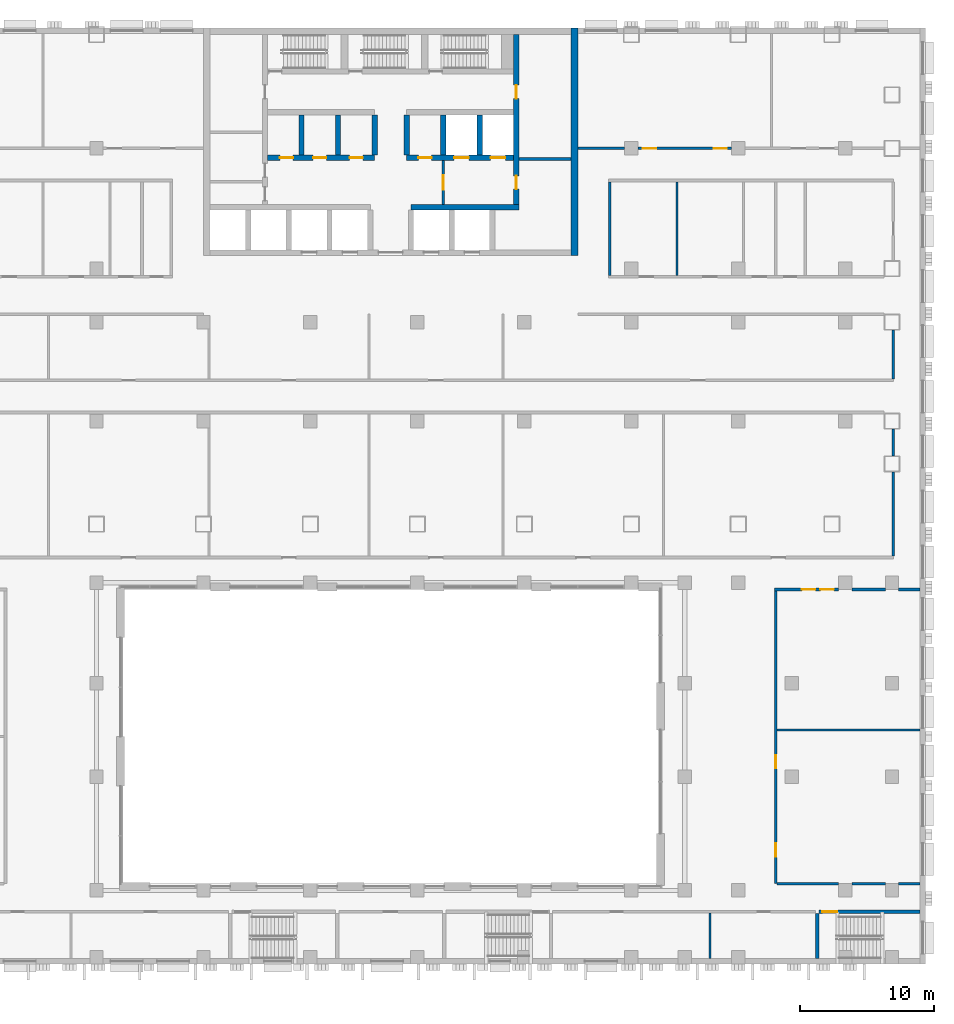
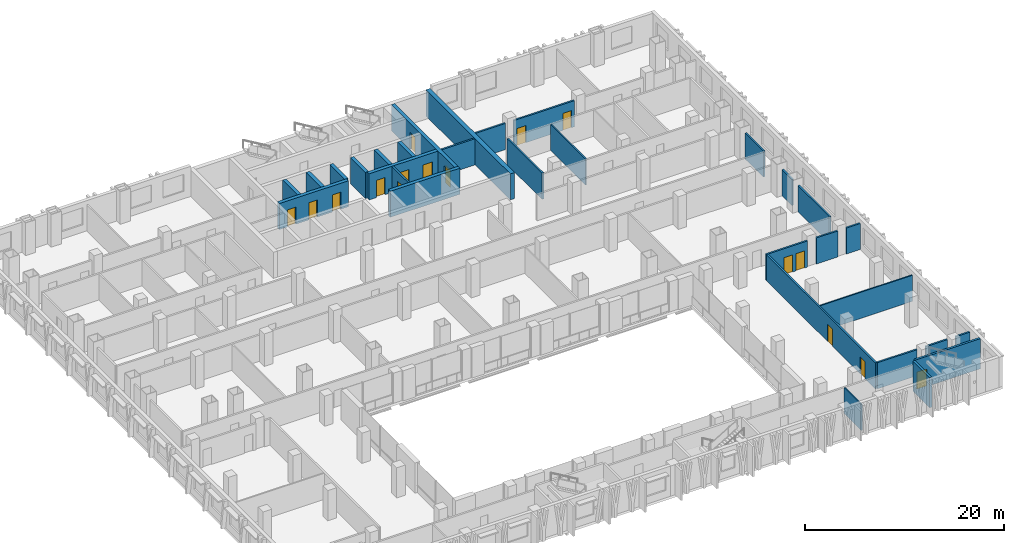
# One storey, part 13 of 24: 31 walls, 16 doors, 16 openings.
"""IFC4 building model written with IfcOpenShell, lengths in metres."""

from ifc_helpers import new_model, si_unit, direction, frame, frame_2d, origin, place, context, subcontext, project, spatial, rectangle, extrude, material, layer, layer_set, type_object, element, fill, save


model = new_model("IFC4")

# Units and contexts
model_context = context("Model", 3, precision=1e-05, world=origin(), true_north=direction((0.0, 1.0)))
body_context = subcontext(model_context, "Body", "Model", "MODEL_VIEW")
ifc_project = project(units=[si_unit("LENGTHUNIT", "METRE"), si_unit("AREAUNIT", "SQUARE_METRE"), si_unit("VOLUMEUNIT", "CUBIC_METRE"), si_unit("PLANEANGLEUNIT", "RADIAN"), si_unit("MASSUNIT", "GRAM", prefix="KILO")], contexts=[model_context])

# Site, building, storey
site_placement = place(None, origin())
site = spatial("IfcSite", under=ifc_project, at=site_placement, CompositionType="ELEMENT")
building_placement = place(site_placement, origin())
building = spatial("IfcBuilding", under=site, at=building_placement, Name="Vidyagriha Tower", CompositionType="ELEMENT")
storey_placement = place(building_placement, frame((0.0, 0.0, 22.0)))
storey = spatial("IfcBuildingStorey", under=building, at=storey_placement, Name="L05", CompositionType="ELEMENT", Elevation=22.0)

# Wall, opening, door
ifc_material_1 = material(Name="Concrete C32/40", Category="concrete")
ifc_layer_1 = layer(ifc_material_1, 0.25)
ifc_layer_set_1 = layer_set([ifc_layer_1], Name="Concrete C32/40")
wall_type_1 = type_object("IfcWallType", Name="Concrete Stair Enclosure Wall 250", PredefinedType="SOLIDWALL", material=ifc_layer_set_1)
wall_1_placement = place(storey_placement, frame((32.02490234375, -46.10009765625, 0.0)))
wall_1 = element("IfcWall", 1, at=wall_1_placement, inside=storey, type_object=wall_type_1, Name="L05 Concrete Stair Enclosure Wall 250 006", PredefinedType="SOLIDWALL", context=body_context, shape_type="SweptSolid", body=[
    extrude(rectangle(XDim=7.5751953125, YDim=0.25, at=frame_2d((3.78759765625, 0.0))), origin(), (0.0, 0.0, 1.0), 3.699951171875),
])
opening_1_placement = place(wall_1_placement, frame((0.27001953125, 0.0, 0.0)))
opening_1 = element("IfcOpeningElement", 2, at=opening_1_placement, cuts=wall_1, Name="Opening D05-58", PredefinedType="OPENING", context=body_context, shape_type="SweptSolid", body=[
    extrude(rectangle(XDim=1.10009765625, YDim=2.10009765625, at=frame_2d((0.550048828125, 1.050048828125))), frame((0.0, 0.135009765625, 0.0), z_axis=(0.0, -1.0, 0.0), x_axis=(1.0, 0.0, 0.0)), (0.0, 0.0, 1.0), 0.27001953125),
])
ifc_material_2 = material(Name="Steel fire door set", Category="steel")
door_type_1 = type_object("IfcDoorType", Name="Podium Door 1100x2100 EI 90", OperationType="NOTDEFINED", PredefinedType="DOOR", material=ifc_material_2)
door_1_placement = place(opening_1_placement, origin())
door_1 = element("IfcDoor", 3, at=door_1_placement, inside=storey, type_object=door_type_1, Name="L05 door D05-58", OperationType="SINGLE_SWING_LEFT", OverallHeight=2.10009765625, OverallWidth=1.10009765625, PredefinedType="DOOR", context=body_context, shape_type="SweptSolid", body=[
    extrude(rectangle(XDim=1.10009765625, YDim=2.10009765625, at=frame_2d((0.550048828125, 1.050048828125))), frame((0.0, 0.02490234375, 0.0), z_axis=(0.0, -1.0, 0.0), x_axis=(1.0, 0.0, 0.0)), (0.0, 0.0, 1.0), 0.050048828125),
])
fill(opening_1, door_1)

# Wall
wall_2_placement = place(storey_placement, frame((31.89990234375, -49.60009765625, 0.0), z_axis=(0.0, 0.0, 1.0), x_axis=(0.0, 1.0, 0.0)))
element("IfcWall", 4, at=wall_2_placement, inside=storey, type_object=wall_type_1, Name="L05 Concrete Stair Enclosure Wall 250 074", PredefinedType="SOLIDWALL", context=body_context, shape_type="SweptSolid", body=[
    extrude(rectangle(XDim=3.375, YDim=0.25, at=frame_2d((1.6875, 0.0))), origin(), (0.0, 0.0, 1.0), 3.699951171875),
])

# Wall, openings, doors
ifc_material_3 = material(Name="Concrete C60/75", Category="concrete")
ifc_layer_2 = layer(ifc_material_3, 0.39990234375)
ifc_layer_set_2 = layer_set([ifc_layer_2], Name="Concrete C60/75")
wall_type_2 = type_object("IfcWallType", Name="Core shear wall 400 mm", PredefinedType="SHEAR", material=ifc_layer_set_2)
wall_3_placement = place(storey_placement, frame((9.39990234375, 6.800048828125, 0.0), z_axis=(0.0, 0.0, 1.0), x_axis=(0.0, 1.0, 0.0)))
wall_3 = element("IfcWall", 5, at=wall_3_placement, inside=storey, type_object=wall_type_2, Name="Core east spine wall", PredefinedType="SHEAR", context=body_context, shape_type="SweptSolid", body=[
    extrude(rectangle(XDim=12.699951171875, YDim=0.39990234375, at=frame_2d((6.35009765625, 0.0))), origin(), (0.0, 0.0, 1.0), 3.199951171875),
])
opening_2_placement = place(wall_3_placement, frame((1.14990234375, 0.0, 0.0)))
opening_2 = element("IfcOpeningElement", 6, at=opening_2_placement, cuts=wall_3, Name="Opening D05-13", PredefinedType="OPENING", context=body_context, shape_type="SweptSolid", body=[
    extrude(rectangle(XDim=1.0, YDim=2.10009765625, at=frame_2d((0.5, 1.050048828125))), frame((0.0, 0.2099609375, 0.0), z_axis=(0.0, -1.0, 0.0), x_axis=(1.0, 0.0, 0.0)), (0.0, 0.0, 1.0), 0.419921875),
])
opening_3_placement = place(wall_3_placement, frame((7.925048828125, 0.0, 0.0)))
opening_3 = element("IfcOpeningElement", 7, at=opening_3_placement, cuts=wall_3, Name="Opening D05-14", PredefinedType="OPENING", context=body_context, shape_type="SweptSolid", body=[
    extrude(rectangle(XDim=1.0, YDim=2.10009765625, at=frame_2d((0.5, 1.050048828125))), frame((0.0, 0.2099609375, 0.0), z_axis=(0.0, -1.0, 0.0), x_axis=(1.0, 0.0, 0.0)), (0.0, 0.0, 1.0), 0.419921875),
])
ifc_material_4 = material(Name="Hollow metal door leaf")
door_type_2 = type_object("IfcDoorType", Name="Core room door 1000 x 2100 mm EI 60", OperationType="NOTDEFINED", PredefinedType="DOOR", material=ifc_material_4)
door_2_placement = place(opening_2_placement, origin())
door_2 = element("IfcDoor", 8, at=door_2_placement, inside=storey, type_object=door_type_2, Name="Door Electrical Room 05.E1", OperationType="SINGLE_SWING_RIGHT", OverallHeight=2.10009765625, OverallWidth=1.0, PredefinedType="DOOR", context=body_context, shape_type="SweptSolid", body=[
    extrude(rectangle(XDim=1.0, YDim=2.10009765625, at=frame_2d((0.5, 1.050048828125))), frame((0.0, 0.02490234375, 0.0), z_axis=(0.0, -1.0, 0.0), x_axis=(1.0, 0.0, 0.0)), (0.0, 0.0, 1.0), 0.050048828125),
])
fill(opening_2, door_2)
door_3_placement = place(opening_3_placement, origin())
door_3 = element("IfcDoor", 9, at=door_3_placement, inside=storey, type_object=door_type_2, Name="Door Refuse Room 05.E2", OperationType="SINGLE_SWING_LEFT", OverallHeight=2.10009765625, OverallWidth=1.0, PredefinedType="DOOR", context=body_context, shape_type="SweptSolid", body=[
    extrude(rectangle(XDim=1.0, YDim=2.10009765625, at=frame_2d((0.5, 1.050048828125))), frame((0.0, 0.02490234375, 0.0), z_axis=(0.0, -1.0, 0.0), x_axis=(1.0, 0.0, 0.0)), (0.0, 0.0, 1.0), 0.050048828125),
])
fill(opening_3, door_3)

# Wall
wall_4_placement = place(storey_placement, frame((1.522216796875, 6.60009765625, 0.0)))
element("IfcWall", 10, at=wall_4_placement, inside=storey, type_object=wall_type_2, Name="Core lobby south wall east", PredefinedType="SHEAR", context=body_context, shape_type="SweptSolid", body=[
    extrude(rectangle(XDim=8.077880859375, YDim=0.39990234375, at=frame_2d((4.0390625, 0.0))), origin(), (0.0, 0.0, 1.0), 3.199951171875),
])

# Wall, openings, doors
wall_5_placement = place(storey_placement, frame((-9.199951171875, 10.300048828125, 0.0)))
wall_5 = element("IfcWall", 11, at=wall_5_placement, inside=storey, type_object=wall_type_2, Name="Core row N front wall", PredefinedType="SHEAR", context=body_context, shape_type="SweptSolid", body=[
    extrude(rectangle(XDim=8.0, YDim=0.39990234375, at=frame_2d((4.0, 0.0))), origin(), (0.0, 0.0, 1.0), 3.199951171875),
])
opening_4_placement = place(wall_5_placement, frame((0.916748046875, 0.0, 0.0)))
opening_4 = element("IfcOpeningElement", 12, at=opening_4_placement, cuts=wall_5, Name="Opening D05-02", PredefinedType="OPENING", context=body_context, shape_type="SweptSolid", body=[
    extrude(rectangle(XDim=1.0, YDim=2.10009765625, at=frame_2d((0.5, 1.050048828125))), frame((0.0, 0.2099609375, 0.0), z_axis=(0.0, -1.0, 0.0), x_axis=(1.0, 0.0, 0.0)), (0.0, 0.0, 1.0), 0.419921875),
])
opening_5_placement = place(wall_5_placement, frame((3.39990234375, 0.0, 0.0)))
opening_5 = element("IfcOpeningElement", 13, at=opening_5_placement, cuts=wall_5, Name="Opening D05-03", PredefinedType="OPENING", context=body_context, shape_type="SweptSolid", body=[
    extrude(rectangle(XDim=1.0, YDim=2.10009765625, at=frame_2d((0.5, 1.050048828125))), frame((0.0, 0.2099609375, 0.0), z_axis=(0.0, -1.0, 0.0), x_axis=(1.0, 0.0, 0.0)), (0.0, 0.0, 1.0), 0.419921875),
])
opening_6_placement = place(wall_5_placement, frame((6.13330078125, 0.0, 0.0)))
opening_6 = element("IfcOpeningElement", 14, at=opening_6_placement, cuts=wall_5, Name="Opening D05-04", PredefinedType="OPENING", context=body_context, shape_type="SweptSolid", body=[
    extrude(rectangle(XDim=1.0, YDim=2.10009765625, at=frame_2d((0.5, 1.050048828125))), frame((0.0, 0.2099609375, 0.0), z_axis=(0.0, -1.0, 0.0), x_axis=(1.0, 0.0, 0.0)), (0.0, 0.0, 1.0), 0.419921875),
])
door_4_placement = place(opening_4_placement, frame((1.0, 0.0, 0.0), z_axis=(0.0, 0.0, 1.0), x_axis=(-1.0, 0.0, 0.0)))
door_4 = element("IfcDoor", 15, at=door_4_placement, inside=storey, type_object=door_type_2, Name="Door Pressurisation Plant Room 05.14", OperationType="SINGLE_SWING_RIGHT", OverallHeight=2.10009765625, OverallWidth=1.0, PredefinedType="DOOR", context=body_context, shape_type="SweptSolid", body=[
    extrude(rectangle(XDim=1.0, YDim=2.10009765625, at=frame_2d((0.5, 1.050048828125))), frame((0.0, 0.02490234375, 0.0), z_axis=(0.0, -1.0, 0.0), x_axis=(1.0, 0.0, 0.0)), (0.0, 0.0, 1.0), 0.050048828125),
])
fill(opening_4, door_4)
door_5_placement = place(opening_5_placement, frame((1.0, 0.0, 0.0), z_axis=(0.0, 0.0, 1.0), x_axis=(-1.0, 0.0, 0.0)))
door_5 = element("IfcDoor", 16, at=door_5_placement, inside=storey, type_object=door_type_2, Name="Door Switchgear Room 05.15", OperationType="SINGLE_SWING_RIGHT", OverallHeight=2.10009765625, OverallWidth=1.0, PredefinedType="DOOR", context=body_context, shape_type="SweptSolid", body=[
    extrude(rectangle(XDim=1.0, YDim=2.10009765625, at=frame_2d((0.5, 1.050048828125))), frame((0.0, 0.02490234375, 0.0), z_axis=(0.0, -1.0, 0.0), x_axis=(1.0, 0.0, 0.0)), (0.0, 0.0, 1.0), 0.050048828125),
])
fill(opening_5, door_5)
door_6_placement = place(opening_6_placement, frame((1.0, 0.0, 0.0), z_axis=(0.0, 0.0, 1.0), x_axis=(-1.0, 0.0, 0.0)))
door_6 = element("IfcDoor", 17, at=door_6_placement, inside=storey, type_object=door_type_2, Name="Door Storage Room 05.16", OperationType="SINGLE_SWING_LEFT", OverallHeight=2.10009765625, OverallWidth=1.0, PredefinedType="DOOR", context=body_context, shape_type="SweptSolid", body=[
    extrude(rectangle(XDim=1.0, YDim=2.10009765625, at=frame_2d((0.5, 1.050048828125))), frame((0.0, 0.02490234375, 0.0), z_axis=(0.0, -1.0, 0.0), x_axis=(1.0, 0.0, 0.0)), (0.0, 0.0, 1.0), 0.050048828125),
])
fill(opening_6, door_6)

wall_6_placement = place(storey_placement, frame((1.199951171875, 10.300048828125, 0.0)))
wall_6 = element("IfcWall", 18, at=wall_6_placement, inside=storey, type_object=wall_type_2, Name="Core row N front wall", PredefinedType="SHEAR", context=body_context, shape_type="SweptSolid", body=[
    extrude(rectangle(XDim=8.0, YDim=0.39990234375, at=frame_2d((4.0, 0.0))), origin(), (0.0, 0.0, 1.0), 3.199951171875),
])
opening_7_placement = place(wall_6_placement, frame((3.550048828125, 0.0, 0.0)))
opening_7 = element("IfcOpeningElement", 19, at=opening_7_placement, cuts=wall_6, Name="Opening LD05-05", PredefinedType="OPENING", context=body_context, shape_type="SweptSolid", body=[
    extrude(rectangle(XDim=1.10009765625, YDim=2.10009765625, at=frame_2d((0.550048828125, 1.050048828125))), frame((0.0, 0.2099609375, 0.0), z_axis=(0.0, -1.0, 0.0), x_axis=(1.0, 0.0, 0.0)), (0.0, 0.0, 1.0), 0.419921875),
])
opening_8_placement = place(wall_6_placement, frame((6.283203125, 0.0, 0.0)))
opening_8 = element("IfcOpeningElement", 20, at=opening_8_placement, cuts=wall_6, Name="Opening LD05-06", PredefinedType="OPENING", context=body_context, shape_type="SweptSolid", body=[
    extrude(rectangle(XDim=1.10009765625, YDim=2.10009765625, at=frame_2d((0.550048828125, 1.050048828125))), frame((0.0, 0.2099609375, 0.0), z_axis=(0.0, -1.0, 0.0), x_axis=(1.0, 0.0, 0.0)), (0.0, 0.0, 1.0), 0.419921875),
])
opening_9_placement = place(wall_6_placement, frame((0.86669921875, 0.0, 0.0)))
opening_9 = element("IfcOpeningElement", 21, at=opening_9_placement, cuts=wall_6, Name="Opening D05-05", PredefinedType="OPENING", context=body_context, shape_type="SweptSolid", body=[
    extrude(rectangle(XDim=1.0, YDim=2.10009765625, at=frame_2d((0.5, 1.050048828125))), frame((0.0, 0.2099609375, 0.0), z_axis=(0.0, -1.0, 0.0), x_axis=(1.0, 0.0, 0.0)), (0.0, 0.0, 1.0), 0.419921875),
])
door_7_placement = place(opening_9_placement, frame((1.0, 0.0, 0.0), z_axis=(0.0, 0.0, 1.0), x_axis=(-1.0, 0.0, 0.0)))
door_7 = element("IfcDoor", 22, at=door_7_placement, inside=storey, type_object=door_type_2, Name="Door Communications Room 05.17", OperationType="SINGLE_SWING_LEFT", OverallHeight=2.10009765625, OverallWidth=1.0, PredefinedType="DOOR", context=body_context, shape_type="SweptSolid", body=[
    extrude(rectangle(XDim=1.0, YDim=2.10009765625, at=frame_2d((0.5, 1.050048828125))), frame((0.0, 0.02490234375, 0.0), z_axis=(0.0, -1.0, 0.0), x_axis=(1.0, 0.0, 0.0)), (0.0, 0.0, 1.0), 0.050048828125),
])
fill(opening_9, door_7)
ifc_material_5 = material(Name="Stainless steel sliding door panel", Category="steel")
door_type_3 = type_object("IfcDoorType", Name="Lift landing door 1100 x 2100 mm EI 90", OperationType="NOTDEFINED", PredefinedType="DOOR", material=ifc_material_5)
door_8_placement = place(opening_7_placement, origin())
door_8 = element("IfcDoor", 23, at=door_8_placement, inside=storey, type_object=door_type_3, Name="Landing door FF1 L05", OperationType="SLIDING_TO_LEFT", OverallHeight=2.10009765625, OverallWidth=1.10009765625, PredefinedType="DOOR", context=body_context, shape_type="SweptSolid", body=[
    extrude(rectangle(XDim=1.10009765625, YDim=2.10009765625, at=frame_2d((0.550048828125, 1.050048828125))), frame((0.0, 0.02490234375, 0.0), z_axis=(0.0, -1.0, 0.0), x_axis=(1.0, 0.0, 0.0)), (0.0, 0.0, 1.0), 0.050048828125),
])
fill(opening_7, door_8)
door_9_placement = place(opening_8_placement, origin())
door_9 = element("IfcDoor", 24, at=door_9_placement, inside=storey, type_object=door_type_3, Name="Landing door FF2 L05", OperationType="SLIDING_TO_LEFT", OverallHeight=2.10009765625, OverallWidth=1.10009765625, PredefinedType="DOOR", context=body_context, shape_type="SweptSolid", body=[
    extrude(rectangle(XDim=1.10009765625, YDim=2.10009765625, at=frame_2d((0.550048828125, 1.050048828125))), frame((0.0, 0.02490234375, 0.0), z_axis=(0.0, -1.0, 0.0), x_axis=(1.0, 0.0, 0.0)), (0.0, 0.0, 1.0), 0.050048828125),
])
fill(opening_8, door_9)

# Walls
for number, where, z_axis, x_axis, name in (
    (25, (-6.666748046875, 10.5, 0.0), (0.0, 0.0, 1.0), (0.0, 1.0, 0.0), "Core bay wall N1"),
    (26, (-3.933349609375, 10.5, 0.0), (0.0, 0.0, 1.0), (0.0, 1.0, 0.0), "Core bay wall N2"),
    (27, (-1.199951171875, 10.5, 0.0), (0.0, 0.0, 1.0), (0.0, 1.0, 0.0), "Core bay wall N3"),
    (28, (1.199951171875, 10.5, 0.0), (0.0, 0.0, 1.0), (0.0, 1.0, 0.0), "Core bay wall N4"),
    (29, (3.933349609375, 10.5, 0.0), (0.0, 0.0, 1.0), (0.0, 1.0, 0.0), "Core bay wall N5"),
    (30, (6.666748046875, 10.5, 0.0), (0.0, 0.0, 1.0), (0.0, 1.0, 0.0), "Core bay wall N6"),
):
    element("IfcWall", number, at=place(storey_placement, frame(where, z_axis=z_axis, x_axis=x_axis)), inside=storey, type_object=wall_type_2, Name=name, PredefinedType="SHEAR", context=body_context, shape_type="SweptSolid", body=[
        extrude(rectangle(XDim=3.0, YDim=0.39990234375, at=frame_2d((1.5, 0.0))), origin(), (0.0, 0.0, 1.0), 3.199951171875),
    ])
ifc_material_6 = material(Name="Concrete C60/75", Category="concrete")
ifc_layer_3 = layer(ifc_material_6, 0.5)
ifc_layer_set_3 = layer_set([ifc_layer_3], Name="Concrete C60/75")
wall_type_3 = type_object("IfcWallType", Name="Core shear wall 500 mm", PredefinedType="SHEAR", material=ifc_layer_set_3)
wall_7_placement = place(storey_placement, frame((13.75, 3.0, 0.0), z_axis=(0.0, 0.0, 1.0), x_axis=(0.0, 1.0, 0.0)))
element("IfcWall", 31, at=wall_7_placement, inside=storey, type_object=wall_type_3, Name="Core east wall", PredefinedType="SHEAR", context=body_context, shape_type="SweptSolid", body=[
    extrude(rectangle(XDim=17.0, YDim=0.5, at=frame_2d((8.5, 0.0))), origin(), (0.0, 0.0, 1.0), 3.199951171875),
])
ifc_material_7 = material(Name="Fire rated gypsum board on light gauge framing")
ifc_layer_4 = layer(ifc_material_7, 0.199951171875)
ifc_layer_set_4 = layer_set([ifc_layer_4], Name="Fire rated gypsum board on light gauge framing")
wall_type_4 = type_object("IfcWallType", Name="Fire Rated Corridor Wall 200", PredefinedType="PARTITIONING", material=ifc_layer_set_4)
wall_8_placement = place(storey_placement, frame((28.900146484375, -44.0, 0.0)))
element("IfcWall", 32, at=wall_8_placement, inside=storey, type_object=wall_type_4, Name="L05 Fire Rated Corridor Wall 200 010", PredefinedType="PARTITIONING", context=body_context, shape_type="SweptSolid", body=[
    extrude(rectangle(XDim=4.599853515625, YDim=0.199951171875, at=frame_2d((2.2998046875, 0.0))), origin(), (0.0, 0.0, 1.0), 3.199951171875),
])
wall_9_placement = place(storey_placement, frame((34.5, -44.0, 0.0)))
element("IfcWall", 33, at=wall_9_placement, inside=storey, type_object=wall_type_4, Name="L05 Fire Rated Corridor Wall 200 011", PredefinedType="PARTITIONING", context=body_context, shape_type="SweptSolid", body=[
    extrude(rectangle(XDim=2.5, YDim=0.199951171875, at=frame_2d((1.25, 0.0))), origin(), (0.0, 0.0, 1.0), 3.199951171875),
])
wall_10_placement = place(storey_placement, frame((38.0, -44.0, 0.0)))
element("IfcWall", 34, at=wall_10_placement, inside=storey, type_object=wall_type_4, Name="L05 Fire Rated Corridor Wall 200 012", PredefinedType="PARTITIONING", context=body_context, shape_type="SweptSolid", body=[
    extrude(rectangle(XDim=1.60009765625, YDim=0.199951171875, at=frame_2d((0.800048828125, 0.0))), origin(), (0.0, 0.0, 1.0), 3.199951171875),
])

# Wall, openings, doors
wall_11_placement = place(storey_placement, frame((28.7001953125, -22.0, 0.0)))
wall_11 = element("IfcWall", 35, at=wall_11_placement, inside=storey, type_object=wall_type_4, Name="L05 Fire Rated Corridor Wall 200 018", PredefinedType="PARTITIONING", context=body_context, shape_type="SweptSolid", body=[
    extrude(rectangle(XDim=4.7998046875, YDim=0.199951171875, at=frame_2d((2.39990234375, 0.0))), origin(), (0.0, 0.0, 1.0), 3.199951171875),
])
opening_10_placement = place(wall_11_placement, frame((2.06396484375, 0.0, 0.0)))
opening_10 = element("IfcOpeningElement", 36, at=opening_10_placement, cuts=wall_11, Name="Opening D05-21", PredefinedType="OPENING", context=body_context, shape_type="SweptSolid", body=[
    extrude(rectangle(XDim=1.0, YDim=2.10009765625, at=frame_2d((0.5, 1.050048828125))), frame((0.0, 0.10986328125, 0.0), z_axis=(0.0, -1.0, 0.0), x_axis=(1.0, 0.0, 0.0)), (0.0, 0.0, 1.0), 0.219970703125),
])
opening_11_placement = place(wall_11_placement, frame((3.449951171875, 0.0, 0.0)))
opening_11 = element("IfcOpeningElement", 37, at=opening_11_placement, cuts=wall_11, Name="Opening D05-22", PredefinedType="OPENING", context=body_context, shape_type="SweptSolid", body=[
    extrude(rectangle(XDim=1.0, YDim=2.10009765625, at=frame_2d((0.5, 1.050048828125))), frame((0.0, 0.10986328125, 0.0), z_axis=(0.0, -1.0, 0.0), x_axis=(1.0, 0.0, 0.0)), (0.0, 0.0, 1.0), 0.219970703125),
])
ifc_material_8 = material(Name="Steel fire door set", Category="steel")
door_type_4 = type_object("IfcDoorType", Name="Podium Door 1000x2100 EI 30", OperationType="NOTDEFINED", PredefinedType="DOOR", material=ifc_material_8)
door_10_placement = place(opening_10_placement, frame((1.0, 0.0, 0.0), z_axis=(0.0, 0.0, 1.0), x_axis=(-1.0, 0.0, 0.0)))
door_10 = element("IfcDoor", 38, at=door_10_placement, inside=storey, type_object=door_type_4, Name="L05 door D05-21", OperationType="SINGLE_SWING_RIGHT", OverallHeight=2.10009765625, OverallWidth=1.0, PredefinedType="DOOR", context=body_context, shape_type="SweptSolid", body=[
    extrude(rectangle(XDim=1.0, YDim=2.10009765625, at=frame_2d((0.5, 1.050048828125))), frame((0.0, 0.02490234375, 0.0), z_axis=(0.0, -1.0, 0.0), x_axis=(1.0, 0.0, 0.0)), (0.0, 0.0, 1.0), 0.050048828125),
])
fill(opening_10, door_10)
door_11_placement = place(opening_11_placement, frame((1.0, 0.0, 0.0), z_axis=(0.0, 0.0, 1.0), x_axis=(-1.0, 0.0, 0.0)))
door_11 = element("IfcDoor", 39, at=door_11_placement, inside=storey, type_object=door_type_4, Name="L05 door D05-22", OperationType="SINGLE_SWING_RIGHT", OverallHeight=2.10009765625, OverallWidth=1.0, PredefinedType="DOOR", context=body_context, shape_type="SweptSolid", body=[
    extrude(rectangle(XDim=1.0, YDim=2.10009765625, at=frame_2d((0.5, 1.050048828125))), frame((0.0, 0.02490234375, 0.0), z_axis=(0.0, -1.0, 0.0), x_axis=(1.0, 0.0, 0.0)), (0.0, 0.0, 1.0), 0.050048828125),
])
fill(opening_11, door_11)

# Walls
wall_12_placement = place(storey_placement, frame((34.5, -22.0, 0.0)))
element("IfcWall", 40, at=wall_12_placement, inside=storey, type_object=wall_type_4, Name="L05 Fire Rated Corridor Wall 200 019", PredefinedType="PARTITIONING", context=body_context, shape_type="SweptSolid", body=[
    extrude(rectangle(XDim=2.5, YDim=0.199951171875, at=frame_2d((1.25, 0.0))), origin(), (0.0, 0.0, 1.0), 3.199951171875),
])
wall_13_placement = place(storey_placement, frame((38.0, -22.0, 0.0)))
element("IfcWall", 41, at=wall_13_placement, inside=storey, type_object=wall_type_4, Name="L05 Fire Rated Corridor Wall 200 020", PredefinedType="PARTITIONING", context=body_context, shape_type="SweptSolid", body=[
    extrude(rectangle(XDim=1.60009765625, YDim=0.199951171875, at=frame_2d((0.800048828125, 0.0))), origin(), (0.0, 0.0, 1.0), 3.199951171875),
])
wall_14_placement = place(storey_placement, frame((14.0, 11.0, 0.0)))
element("IfcWall", 42, at=wall_14_placement, inside=storey, type_object=wall_type_4, Name="L05 Fire Rated Corridor Wall 200 034", PredefinedType="PARTITIONING", context=body_context, shape_type="SweptSolid", body=[
    extrude(rectangle(XDim=3.5, YDim=0.199951171875, at=frame_2d((1.75, 0.0))), origin(), (0.0, 0.0, 1.0), 3.199951171875),
])

# Wall, openings, doors
wall_15_placement = place(storey_placement, frame((18.5, 11.0, 0.0)))
wall_15 = element("IfcWall", 43, at=wall_15_placement, inside=storey, type_object=wall_type_4, Name="L05 Fire Rated Corridor Wall 200 035", PredefinedType="PARTITIONING", context=body_context, shape_type="SweptSolid", body=[
    extrude(rectangle(XDim=7.0, YDim=0.199951171875, at=frame_2d((3.5, 0.0))), origin(), (0.0, 0.0, 1.0), 3.199951171875),
])
opening_12_placement = place(wall_15_placement, frame((0.35009765625, 0.0, 0.0)))
opening_12 = element("IfcOpeningElement", 44, at=opening_12_placement, cuts=wall_15, Name="Opening D05-53", PredefinedType="OPENING", context=body_context, shape_type="SweptSolid", body=[
    extrude(rectangle(XDim=1.0, YDim=2.10009765625, at=frame_2d((0.5, 1.050048828125))), frame((0.0, 0.10986328125, 0.0), z_axis=(0.0, -1.0, 0.0), x_axis=(1.0, 0.0, 0.0)), (0.0, 0.0, 1.0), 0.219970703125),
])
opening_13_placement = place(wall_15_placement, frame((5.64990234375, 0.0, 0.0)))
opening_13 = element("IfcOpeningElement", 45, at=opening_13_placement, cuts=wall_15, Name="Opening D05-54", PredefinedType="OPENING", context=body_context, shape_type="SweptSolid", body=[
    extrude(rectangle(XDim=1.0, YDim=2.10009765625, at=frame_2d((0.5, 1.050048828125))), frame((0.0, 0.10986328125, 0.0), z_axis=(0.0, -1.0, 0.0), x_axis=(1.0, 0.0, 0.0)), (0.0, 0.0, 1.0), 0.219970703125),
])
door_12_placement = place(opening_12_placement, origin())
door_12 = element("IfcDoor", 46, at=door_12_placement, inside=storey, type_object=door_type_4, Name="L05 door D05-53", OperationType="SINGLE_SWING_LEFT", OverallHeight=2.10009765625, OverallWidth=1.0, PredefinedType="DOOR", context=body_context, shape_type="SweptSolid", body=[
    extrude(rectangle(XDim=1.0, YDim=2.10009765625, at=frame_2d((0.5, 1.050048828125))), frame((0.0, 0.02490234375, 0.0), z_axis=(0.0, -1.0, 0.0), x_axis=(1.0, 0.0, 0.0)), (0.0, 0.0, 1.0), 0.050048828125),
])
fill(opening_12, door_12)
door_13_placement = place(opening_13_placement, origin())
door_13 = element("IfcDoor", 47, at=door_13_placement, inside=storey, type_object=door_type_4, Name="L05 door D05-54", OperationType="SINGLE_SWING_RIGHT", OverallHeight=2.10009765625, OverallWidth=1.0, PredefinedType="DOOR", context=body_context, shape_type="SweptSolid", body=[
    extrude(rectangle(XDim=1.0, YDim=2.10009765625, at=frame_2d((0.5, 1.050048828125))), frame((0.0, 0.02490234375, 0.0), z_axis=(0.0, -1.0, 0.0), x_axis=(1.0, 0.0, 0.0)), (0.0, 0.0, 1.0), 0.050048828125),
])
fill(opening_13, door_13)

# Wall
wall_16_placement = place(storey_placement, frame((16.39990234375, 1.5, 0.0), z_axis=(0.0, 0.0, 1.0), x_axis=(0.0, 1.0, 0.0)))
element("IfcWall", 48, at=wall_16_placement, inside=storey, type_object=wall_type_4, Name="L05 Fire Rated Corridor Wall 200 065", PredefinedType="PARTITIONING", context=body_context, shape_type="SweptSolid", body=[
    extrude(rectangle(XDim=7.0, YDim=0.199951171875, at=frame_2d((3.5, 0.0))), origin(), (0.0, 0.0, 1.0), 3.199951171875),
])

# Wall, openings, doors
wall_17_placement = place(storey_placement, frame((28.800048828125, -44.0, 0.0), z_axis=(0.0, 0.0, 1.0), x_axis=(0.0, 1.0, 0.0)))
wall_17 = element("IfcWall", 49, at=wall_17_placement, inside=storey, type_object=wall_type_4, Name="L05 Fire Rated Corridor Wall 200 071", PredefinedType="PARTITIONING", context=body_context, shape_type="SweptSolid", body=[
    extrude(rectangle(XDim=21.89990234375, YDim=0.199951171875, at=frame_2d((10.949951171875, 0.0))), origin(), (0.0, 0.0, 1.0), 3.199951171875),
])
opening_14_placement = place(wall_17_placement, frame((2.02978515625, 0.0, 0.0)))
opening_14 = element("IfcOpeningElement", 50, at=opening_14_placement, cuts=wall_17, Name="Opening D05-19", PredefinedType="OPENING", context=body_context, shape_type="SweptSolid", body=[
    extrude(rectangle(XDim=1.0, YDim=2.10009765625, at=frame_2d((0.5, 1.050048828125))), frame((0.0, 0.10986328125, 0.0), z_axis=(0.0, -1.0, 0.0), x_axis=(1.0, 0.0, 0.0)), (0.0, 0.0, 1.0), 0.219970703125),
])
opening_15_placement = place(wall_17_placement, frame((8.619873046875, 0.0, 0.0)))
opening_15 = element("IfcOpeningElement", 51, at=opening_15_placement, cuts=wall_17, Name="Opening D05-20", PredefinedType="OPENING", context=body_context, shape_type="SweptSolid", body=[
    extrude(rectangle(XDim=1.0, YDim=2.10009765625, at=frame_2d((0.5, 1.050048828125))), frame((0.0, 0.10986328125, 0.0), z_axis=(0.0, -1.0, 0.0), x_axis=(1.0, 0.0, 0.0)), (0.0, 0.0, 1.0), 0.219970703125),
])
door_14_placement = place(opening_14_placement, frame((1.0, 0.0, 0.0), z_axis=(0.0, 0.0, 1.0), x_axis=(-1.0, 0.0, 0.0)))
door_14 = element("IfcDoor", 52, at=door_14_placement, inside=storey, type_object=door_type_4, Name="L05 door D05-19", OperationType="SINGLE_SWING_LEFT", OverallHeight=2.10009765625, OverallWidth=1.0, PredefinedType="DOOR", context=body_context, shape_type="SweptSolid", body=[
    extrude(rectangle(XDim=1.0, YDim=2.10009765625, at=frame_2d((0.5, 1.050048828125))), frame((0.0, 0.02490234375, 0.0), z_axis=(0.0, -1.0, 0.0), x_axis=(1.0, 0.0, 0.0)), (0.0, 0.0, 1.0), 0.050048828125),
])
fill(opening_14, door_14)
door_15_placement = place(opening_15_placement, frame((1.0, 0.0, 0.0), z_axis=(0.0, 0.0, 1.0), x_axis=(-1.0, 0.0, 0.0)))
door_15 = element("IfcDoor", 53, at=door_15_placement, inside=storey, type_object=door_type_4, Name="L05 door D05-20", OperationType="SINGLE_SWING_LEFT", OverallHeight=2.10009765625, OverallWidth=1.0, PredefinedType="DOOR", context=body_context, shape_type="SweptSolid", body=[
    extrude(rectangle(XDim=1.0, YDim=2.10009765625, at=frame_2d((0.5, 1.050048828125))), frame((0.0, 0.02490234375, 0.0), z_axis=(0.0, -1.0, 0.0), x_axis=(1.0, 0.0, 0.0)), (0.0, 0.0, 1.0), 0.050048828125),
])
fill(opening_15, door_15)

# Walls
wall_18_placement = place(storey_placement, frame((37.60009765625, -19.5, 0.0), z_axis=(0.0, 0.0, 1.0), x_axis=(0.0, 1.0, 0.0)))
element("IfcWall", 54, at=wall_18_placement, inside=storey, type_object=wall_type_4, Name="L05 Fire Rated Corridor Wall 200 075", PredefinedType="PARTITIONING", context=body_context, shape_type="SweptSolid", body=[
    extrude(rectangle(XDim=6.300048828125, YDim=0.199951171875, at=frame_2d((3.14990234375, 0.0))), origin(), (0.0, 0.0, 1.0), 3.199951171875),
])
wall_19_placement = place(storey_placement, frame((37.60009765625, -12.0, 0.0), z_axis=(0.0, 0.0, 1.0), x_axis=(0.0, 1.0, 0.0)))
element("IfcWall", 55, at=wall_19_placement, inside=storey, type_object=wall_type_4, Name="L05 Fire Rated Corridor Wall 200 076", PredefinedType="PARTITIONING", context=body_context, shape_type="SweptSolid", body=[
    extrude(rectangle(XDim=2.0, YDim=0.199951171875, at=frame_2d((1.0, 0.0))), origin(), (0.0, 0.0, 1.0), 3.199951171875),
])
wall_20_placement = place(storey_placement, frame((37.60009765625, -6.25, 0.0), z_axis=(0.0, 0.0, 1.0), x_axis=(0.0, 1.0, 0.0)))
element("IfcWall", 56, at=wall_20_placement, inside=storey, type_object=wall_type_4, Name="L05 Fire Rated Corridor Wall 200 077", PredefinedType="PARTITIONING", context=body_context, shape_type="SweptSolid", body=[
    extrude(rectangle(XDim=3.64990234375, YDim=0.199951171875, at=frame_2d((1.824951171875, 0.0))), origin(), (0.0, 0.0, 1.0), 3.199951171875),
])
ifc_material_9 = material(Name="Gypsum board on light gauge framing")
ifc_layer_5 = layer(ifc_material_9, 0.14990234375)
ifc_layer_set_5 = layer_set([ifc_layer_5], Name="Gypsum board on light gauge framing")
wall_type_5 = type_object("IfcWallType", Name="Gypsum Board Partition 150", PredefinedType="PARTITIONING", material=ifc_layer_set_5)
wall_21_placement = place(storey_placement, frame((28.89990234375, -32.5, 0.0)))
element("IfcWall", 57, at=wall_21_placement, inside=storey, type_object=wall_type_5, Name="L05 Gypsum Board Partition 150 014", PredefinedType="PARTITIONING", context=body_context, shape_type="SweptSolid", body=[
    extrude(rectangle(XDim=10.7001953125, YDim=0.14990234375, at=frame_2d((5.35009765625, 0.0))), origin(), (0.0, 0.0, 1.0), 3.199951171875),
])
wall_22_placement = place(storey_placement, frame((21.39990234375, 1.5, 0.0), z_axis=(0.0, 0.0, 1.0), x_axis=(0.0, 1.0, 0.0)))
element("IfcWall", 58, at=wall_22_placement, inside=storey, type_object=wall_type_5, Name="L05 Gypsum Board Partition 150 067", PredefinedType="PARTITIONING", context=body_context, shape_type="SweptSolid", body=[
    extrude(rectangle(XDim=7.0, YDim=0.14990234375, at=frame_2d((3.5, 0.0))), origin(), (0.0, 0.0, 1.0), 3.199951171875),
])
wall_23_placement = place(storey_placement, frame((23.89990234375, -49.60009765625, 0.0), z_axis=(0.0, 0.0, 1.0), x_axis=(0.0, 1.0, 0.0)))
element("IfcWall", 59, at=wall_23_placement, inside=storey, type_object=wall_type_5, Name="L05 Gypsum Board Partition 150 068", PredefinedType="PARTITIONING", context=body_context, shape_type="SweptSolid", body=[
    extrude(rectangle(XDim=3.400146484375, YDim=0.14990234375, at=frame_2d((1.7001953125, 0.0))), origin(), (0.0, 0.0, 1.0), 3.199951171875),
])

# Wall, opening, door
ifc_material_10 = material(Name="Blockwork 15 MPa", Category="masonry")
ifc_layer_6 = layer(ifc_material_10, 0.199951171875)
ifc_layer_set_6 = layer_set([ifc_layer_6], Name="Blockwork 15 MPa")
wall_type_6 = type_object("IfcWallType", Name="Service room partition 200 mm", PredefinedType="PARTITIONING", material=ifc_layer_set_6)
wall_24_placement = place(storey_placement, frame((3.933349609375, 6.800048828125, 0.0), z_axis=(0.0, 0.0, 1.0), x_axis=(0.0, 1.0, 0.0)))
wall_24 = element("IfcWall", 60, at=wall_24_placement, inside=storey, type_object=wall_type_6, Name="Fire-fighting lobby west wall", PredefinedType="PARTITIONING", context=body_context, shape_type="SweptSolid", body=[
    extrude(rectangle(XDim=3.300048828125, YDim=0.199951171875, at=frame_2d((1.64990234375, 0.0))), origin(), (0.0, 0.0, 1.0), 3.199951171875),
])
opening_16_placement = place(wall_24_placement, frame((1.10009765625, 0.0, 0.0)))
opening_16 = element("IfcOpeningElement", 61, at=opening_16_placement, cuts=wall_24, Name="Opening D05-06", PredefinedType="OPENING", context=body_context, shape_type="SweptSolid", body=[
    extrude(rectangle(XDim=1.10009765625, YDim=2.10009765625, at=frame_2d((0.550048828125, 1.050048828125))), frame((0.0, 0.10986328125, 0.0), z_axis=(0.0, -1.0, 0.0), x_axis=(1.0, 0.0, 0.0)), (0.0, 0.0, 1.0), 0.219970703125),
])
ifc_material_11 = material(Name="Hollow metal door leaf")
door_type_5 = type_object("IfcDoorType", Name="Fire-fighting lobby door 1100 x 2100 mm EI 90", OperationType="NOTDEFINED", PredefinedType="DOOR", material=ifc_material_11)
door_16_placement = place(opening_16_placement, origin())
door_16 = element("IfcDoor", 62, at=door_16_placement, inside=storey, type_object=door_type_5, Name="Fire-fighting lobby door L05", OperationType="SINGLE_SWING_RIGHT", OverallHeight=2.10009765625, OverallWidth=1.10009765625, PredefinedType="DOOR", context=body_context, shape_type="SweptSolid", body=[
    extrude(rectangle(XDim=1.10009765625, YDim=2.10009765625, at=frame_2d((0.550048828125, 1.050048828125))), frame((0.0, 0.02490234375, 0.0), z_axis=(0.0, -1.0, 0.0), x_axis=(1.0, 0.0, 0.0)), (0.0, 0.0, 1.0), 0.050048828125),
])
fill(opening_16, door_16)

# Wall
wall_25_placement = place(storey_placement, frame((9.60009765625, 10.199951171875, 0.0)))
element("IfcWall", 63, at=wall_25_placement, inside=storey, type_object=wall_type_6, Name="Core room partition E1", PredefinedType="PARTITIONING", context=body_context, shape_type="SweptSolid", body=[
    extrude(rectangle(XDim=3.89990234375, YDim=0.199951171875, at=frame_2d((1.949951171875, 0.0))), origin(), (0.0, 0.0, 1.0), 3.199951171875),
])

save(model, "model.ifc")
